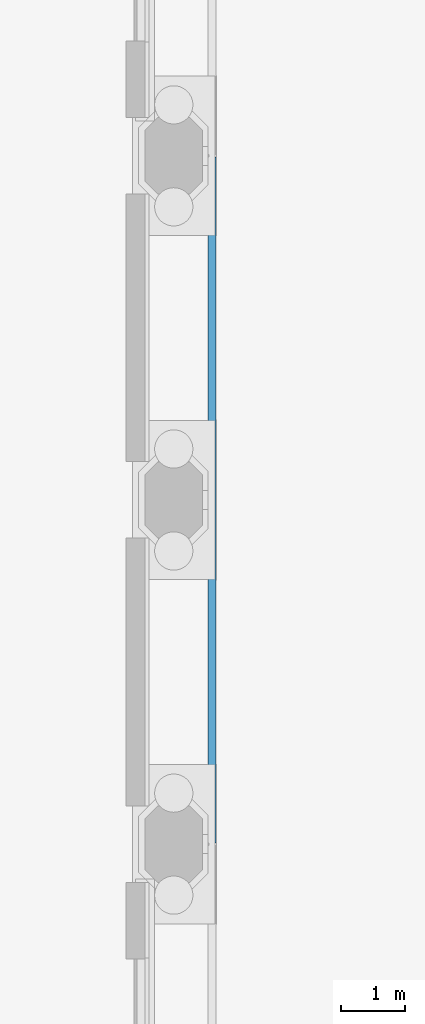
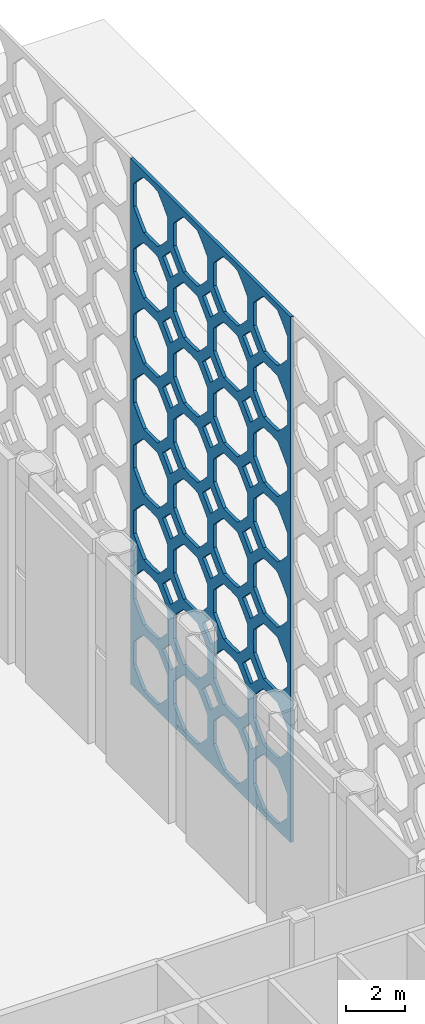
# One storey, part 28 of 54: 1 plate.
"""IFC4 building model written with IfcOpenShell, lengths in metres."""

import ifcopenshell
import ifcopenshell.guid

model = None  # the IFC model being written
_history = None  # IfcOwnerHistory: only IFC2X3 demands one
_inside = {}  # id of a spatial element -> (the spatial element, [elements in it])
_under = {}  # id of a project, library or spatial element -> (it, [spatial elements below it])
_declared = {}  # id of a project -> (the project, [libraries it declares])
_typed = {}  # id of a type object -> (the type object, [elements of that type])
_made_of = {}  # id of a material, layer set ... -> (it, [elements and type objects made of it])


def new_model(schema):
    """Start an empty IFC model of exactly this schema.

    Asked for "IFC4X3", IfcOpenShell would pick the latest addendum, in which some entities
    have other attributes; the version numbers below select the first issue.
    IFC2X3 requires an IfcOwnerHistory on every rooted entity: one is made here for all.
    """
    global model, _history
    if schema == "IFC4X3":
        model = ifcopenshell.file(schema_version=(4, 3, 0, 0))
    else:
        model = ifcopenshell.file(schema=schema)
    _inside.clear()
    _under.clear()
    _declared.clear()
    _typed.clear()
    _made_of.clear()
    _history = None
    if model.schema == "IFC2X3":
        org = make("IfcOrganization", Name="unknown")
        user = make(
            "IfcPersonAndOrganization",
            ThePerson=make("IfcPerson", FamilyName="unknown"),
            TheOrganization=org,
        )
        app = make(
            "IfcApplication",
            ApplicationDeveloper=org,
            Version="unknown",
            ApplicationFullName="unknown",
            ApplicationIdentifier="unknown",
        )
        _history = make(
            "IfcOwnerHistory",
            OwningUser=user,
            OwningApplication=app,
            ChangeAction="ADDED",
            CreationDate=0,
        )
    return model


def make(cls, **values):
    """One entity of the class cls with the attributes given. An attribute that is None is left unset."""
    return model.create_entity(
        cls, **{name: value for name, value in values.items() if value is not None}
    )


def rooted(cls, **values):
    """An entity with a GlobalId (a new one), such as an element, a storey or a relation."""
    return make(cls, GlobalId=ifcopenshell.guid.new(), OwnerHistory=_history, **values)


def si_unit(unit_type, name, prefix=None):
    """IfcSIUnit, for example si_unit("LENGTHUNIT", "METRE", prefix="MILLI")."""
    return make("IfcSIUnit", UnitType=unit_type, Prefix=prefix, Name=name)


def assignment(units):
    """IfcUnitAssignment: the units of a project."""
    return None if units is None else make("IfcUnitAssignment", Units=units)


def point(xyz):
    """IfcCartesianPoint."""
    return None if xyz is None else make("IfcCartesianPoint", Coordinates=xyz)


def direction(xyz):
    """IfcDirection."""
    return None if xyz is None else make("IfcDirection", DirectionRatios=xyz)


def frame(location, z_axis=None, x_axis=None):
    """IfcAxis2Placement3D, a coordinate frame: its origin and axes. An axis left out is left unset."""
    return make(
        "IfcAxis2Placement3D",
        Location=point(location),
        Axis=direction(z_axis),
        RefDirection=direction(x_axis),
    )


def origin():
    """The frame at (0, 0, 0) with its axes left unset."""
    return frame((0.0, 0.0, 0.0))


def place(relative_to, where):
    """IfcLocalPlacement: puts the frame where relative to a parent placement (None: the world)."""
    return make(
        "IfcLocalPlacement", PlacementRelTo=relative_to, RelativePlacement=where
    )


def context(
    kind, dimensions, precision=None, world=None, true_north=None, identifier=None
):
    """IfcGeometricRepresentationContext, for example the 3D "Model" context."""
    return make(
        "IfcGeometricRepresentationContext",
        ContextIdentifier=identifier,
        ContextType=kind,
        CoordinateSpaceDimension=dimensions,
        Precision=precision,
        WorldCoordinateSystem=world,
        TrueNorth=true_north,
    )


def subcontext(parent, identifier, kind, view, scale=None):
    """IfcGeometricRepresentationSubContext, for example "Body" below "Model"."""
    return make(
        "IfcGeometricRepresentationSubContext",
        ContextIdentifier=identifier,
        ContextType=kind,
        ParentContext=parent,
        TargetScale=scale,
        TargetView=view,
    )


def project(units=None, contexts=None):
    """IfcProject with its units and contexts."""
    return rooted(
        "IfcProject",
        Name="project",
        RepresentationContexts=contexts,
        UnitsInContext=assignment(units),
    )


def spatial(cls, under=None, at=None, **own):
    """A site, building, storey or space (cls), placed at a placement, below another one or the project."""
    s = rooted(cls, ObjectPlacement=at, **own)
    if under is not None:
        _under.setdefault(under.id(), (under, []))[1].append(s)
    return s


def polyline(points):
    """IfcPolyline through the points."""
    return make("IfcPolyline", Points=[point(p) for p in points])


def outline(outer, holes=None, kind="AREA"):
    """IfcArbitraryClosedProfileDef: a profile drawn as a closed curve; with holes, ...WithVoids."""
    if holes is None:
        return make("IfcArbitraryClosedProfileDef", ProfileType=kind, OuterCurve=outer)
    return make(
        "IfcArbitraryProfileDefWithVoids",
        ProfileType=kind,
        OuterCurve=outer,
        InnerCurves=holes,
    )


def extrude(swept, where, along, depth):
    """IfcExtrudedAreaSolid: the profile swept, set in the frame where, extruded along a direction by depth."""
    return make(
        "IfcExtrudedAreaSolid",
        SweptArea=swept,
        Position=where,
        ExtrudedDirection=direction(along),
        Depth=depth,
    )


def shape(context_of_items, identifier, shape_type, items):
    """IfcShapeRepresentation: the items that make up one representation, for example the "Body"."""
    return make(
        "IfcShapeRepresentation",
        ContextOfItems=context_of_items,
        RepresentationIdentifier=identifier,
        RepresentationType=shape_type,
        Items=items,
    )


def material(Name=None, Category=None):
    """IfcMaterial."""
    return make("IfcMaterial", Name=Name, Category=Category)


def layer(
    of_material, thickness, ventilated=None, Name=None, Category=None, Priority=None
):
    """IfcMaterialLayer: one layer of a wall or slab, of a material (None: an air gap)."""
    return make(
        "IfcMaterialLayer",
        Material=of_material,
        LayerThickness=thickness,
        IsVentilated=ventilated,
        Name=Name,
        Category=Category,
        Priority=Priority,
    )


def layer_set(layers, Name=None):
    """IfcMaterialLayerSet."""
    return make("IfcMaterialLayerSet", MaterialLayers=layers, LayerSetName=Name)


def made_of(thing, what):
    """Note that an element or type object is made of a material, layer set ...; save() writes the relation."""
    if what is not None:
        _made_of.setdefault(what.id(), (what, []))[1].append(thing)
    return thing


def type_object(cls, material=None, **own):
    """A type object (cls), such as IfcWallType, which elements share."""
    return made_of(rooted(cls, **own), material)


def element(
    cls,
    number,
    at=None,
    inside=None,
    cuts=None,
    type_object=None,
    material=None,
    context=None,
    identifier="Body",
    shape_type=None,
    held_by="IfcProductDefinitionShape",
    body=None,
    shapes=None,
    **own,
):
    """One element of the class cls, such as IfcWall. Its Tag is "e" and its number.

    at: its placement. inside: the storey or other place that contains it. cuts: it is an
    opening in that element (IfcRelVoidsElement). A single representation is given by context,
    identifier, shape_type and body (its items); several are given by shapes. held_by: the class
    of the entity that holds the representations. save() writes the other relations.
    """
    e = rooted(cls, Tag="e%d" % number, ObjectPlacement=at, **own)
    if body is not None:
        shapes = [shape(context, identifier, shape_type, body)]
    if shapes is not None:
        e.Representation = make(held_by, Representations=shapes)
    if inside is not None:
        _inside.setdefault(inside.id(), (inside, []))[1].append(e)
    if cuts is not None:
        rooted(
            "IfcRelVoidsElement", RelatingBuildingElement=cuts, RelatedOpeningElement=e
        )
    if type_object is not None:
        _typed.setdefault(type_object.id(), (type_object, []))[1].append(e)
    return made_of(e, material)


def aggregate(whole, parts):
    """IfcRelAggregates: a whole, such as a stair, and the parts it consists of."""
    return rooted("IfcRelAggregates", RelatingObject=whole, RelatedObjects=parts)


def save(model, path):
    """Write the relations noted so far, then the file.

    IfcRelAggregates (storeys below a building ...), IfcRelContainedInSpatialStructure (elements
    in a storey), IfcRelDefinesByType, IfcRelAssociatesMaterial and IfcRelDeclares: one each for
    every whole, place, type object, material and project.
    """
    for whole, parts in _under.values():
        aggregate(whole, parts)
    for where, things in _inside.values():
        rooted(
            "IfcRelContainedInSpatialStructure",
            RelatedElements=things,
            RelatingStructure=where,
        )
    for kind, things in _typed.values():
        rooted("IfcRelDefinesByType", RelatedObjects=things, RelatingType=kind)
    for what, things in _made_of.values():
        rooted("IfcRelAssociatesMaterial", RelatedObjects=things, RelatingMaterial=what)
    for by, libraries in _declared.values():
        rooted("IfcRelDeclares", RelatingContext=by, RelatedDefinitions=libraries)
    model.write(path)


model = new_model("IFC4")

# Units and contexts
model_context = context("Model", 3, precision=1e-05, world=origin(), true_north=direction((0.0, 1.0)))
body_context = subcontext(model_context, "Body", "Model", "MODEL_VIEW")
ifc_project = project(units=[si_unit("LENGTHUNIT", "METRE"), si_unit("AREAUNIT", "SQUARE_METRE"), si_unit("VOLUMEUNIT", "CUBIC_METRE"), si_unit("PLANEANGLEUNIT", "RADIAN"), si_unit("MASSUNIT", "GRAM", prefix="KILO")], contexts=[model_context])

# Site, building, storey
site_placement = place(None, origin())
site = spatial("IfcSite", under=ifc_project, at=site_placement, CompositionType="ELEMENT")
building_placement = place(site_placement, origin())
building = spatial("IfcBuilding", under=site, at=building_placement, Name="Tabaq Tower and Sports Hall", CompositionType="ELEMENT")
storey_placement = place(building_placement, origin())
storey = spatial("IfcBuildingStorey", under=building, at=storey_placement, Name="L00", CompositionType="ELEMENT", Elevation=0.0)

# Plate
ifc_material = material(Name="White precast concrete C60/75", Category="concrete")
ifc_layer = layer(ifc_material, 0.1201171875)
ifc_layer_set = layer_set([ifc_layer], Name="HALL GIRIH SCREEN 120")
plate_type = type_object("IfcPlateType", Name="HALL GIRIH SCREEN 120", PredefinedType="USERDEFINED", material=ifc_layer_set)
plate_placement = place(storey_placement, frame((124.800048828125, 21.6201171875, 2.39990234375), z_axis=(0.0, 0.0, 1.0), x_axis=(0.0, 1.0, 0.0)))
element("IfcPlate", 1, at=plate_placement, inside=storey, type_object=plate_type, Name="Hall girih screen 2", ObjectType="SCREEN", PredefinedType="USERDEFINED", context=body_context, shape_type="SweptSolid", body=[
    extrude(outline(polyline([(0.0, 0.0), (10.759765625, 0.0), (10.759765625, 21.60009765625), (0.0, 21.60009765625), (0.0, 0.0)]), holes=[polyline([(2.487060546875, 1.866943359375), (2.162109375, 2.2109375), (1.818115234375, 2.535888671875), (1.344970703125, 2.549560546875), (0.871826171875, 2.535888671875), (0.52783203125, 2.2109375), (0.202880859375, 1.866943359375), (0.189453125, 1.393798828125), (0.202880859375, 0.920654296875), (0.52783203125, 0.57666015625), (0.871826171875, 0.251708984375), (1.344970703125, 0.23828125), (1.818115234375, 0.251708984375), (2.162109375, 0.57666015625), (2.487060546875, 0.920654296875), (2.500732421875, 1.393798828125), (2.487060546875, 1.866943359375)]), polyline([(2.487060546875, 4.554443359375), (2.162109375, 4.8984375), (1.818115234375, 5.223388671875), (1.344970703125, 5.237060546875), (0.871826171875, 5.223388671875), (0.52783203125, 4.8984375), (0.202880859375, 4.554443359375), (0.189453125, 4.081298828125), (0.202880859375, 3.608154296875), (0.52783203125, 3.26416015625), (0.871826171875, 2.939208984375), (1.344970703125, 2.92578125), (1.818115234375, 2.939208984375), (2.162109375, 3.26416015625), (2.487060546875, 3.608154296875), (2.500732421875, 4.081298828125), (2.487060546875, 4.554443359375)]), polyline([(2.487060546875, 7.241943359375), (2.162109375, 7.5859375), (1.818115234375, 7.910888671875), (1.344970703125, 7.924560546875), (0.871826171875, 7.910888671875), (0.52783203125, 7.5859375), (0.202880859375, 7.241943359375), (0.189453125, 6.768798828125), (0.202880859375, 6.295654296875), (0.52783203125, 5.95166015625), (0.871826171875, 5.626708984375), (1.344970703125, 5.61328125), (1.818115234375, 5.626708984375), (2.162109375, 5.95166015625), (2.487060546875, 6.295654296875), (2.500732421875, 6.768798828125), (2.487060546875, 7.241943359375)]), polyline([(2.487060546875, 9.929443359375), (2.162109375, 10.2734375), (1.818115234375, 10.598388671875), (1.344970703125, 10.612060546875), (0.871826171875, 10.598388671875), (0.52783203125, 10.2734375), (0.202880859375, 9.929443359375), (0.189453125, 9.456298828125), (0.202880859375, 8.983154296875), (0.52783203125, 8.63916015625), (0.871826171875, 8.314208984375), (1.344970703125, 8.30078125), (1.818115234375, 8.314208984375), (2.162109375, 8.63916015625), (2.487060546875, 8.983154296875), (2.500732421875, 9.456298828125), (2.487060546875, 9.929443359375)]), polyline([(2.487060546875, 12.616943359375), (2.162109375, 12.9609375), (1.818115234375, 13.285888671875), (1.344970703125, 13.299560546875), (0.871826171875, 13.285888671875), (0.52783203125, 12.9609375), (0.202880859375, 12.616943359375), (0.189453125, 12.143798828125), (0.202880859375, 11.670654296875), (0.52783203125, 11.32666015625), (0.871826171875, 11.001708984375), (1.344970703125, 10.98828125), (1.818115234375, 11.001708984375), (2.162109375, 11.32666015625), (2.487060546875, 11.670654296875), (2.500732421875, 12.143798828125), (2.487060546875, 12.616943359375)]), polyline([(2.487060546875, 15.304443359375), (2.162109375, 15.6484375), (1.818115234375, 15.973388671875), (1.344970703125, 15.987060546875), (0.871826171875, 15.973388671875), (0.52783203125, 15.6484375), (0.202880859375, 15.304443359375), (0.189453125, 14.831298828125), (0.202880859375, 14.358154296875), (0.52783203125, 14.01416015625), (0.871826171875, 13.689208984375), (1.344970703125, 13.67578125), (1.818115234375, 13.689208984375), (2.162109375, 14.01416015625), (2.487060546875, 14.358154296875), (2.500732421875, 14.831298828125), (2.487060546875, 15.304443359375)]), polyline([(2.487060546875, 17.991943359375), (2.162109375, 18.3359375), (1.818115234375, 18.660888671875), (1.344970703125, 18.674560546875), (0.871826171875, 18.660888671875), (0.52783203125, 18.3359375), (0.202880859375, 17.991943359375), (0.189453125, 17.518798828125), (0.202880859375, 17.045654296875), (0.52783203125, 16.70166015625), (0.871826171875, 16.376708984375), (1.344970703125, 16.36328125), (1.818115234375, 16.376708984375), (2.162109375, 16.70166015625), (2.487060546875, 17.045654296875), (2.500732421875, 17.518798828125), (2.487060546875, 17.991943359375)]), polyline([(2.487060546875, 20.679443359375), (2.162109375, 21.0234375), (1.818115234375, 21.348388671875), (1.344970703125, 21.362060546875), (0.871826171875, 21.348388671875), (0.52783203125, 21.0234375), (0.202880859375, 20.679443359375), (0.189453125, 20.206298828125), (0.202880859375, 19.733154296875), (0.52783203125, 19.38916015625), (0.871826171875, 19.064208984375), (1.344970703125, 19.05078125), (1.818115234375, 19.064208984375), (2.162109375, 19.38916015625), (2.487060546875, 19.733154296875), (2.500732421875, 20.206298828125), (2.487060546875, 20.679443359375)]), polyline([(5.17724609375, 1.866943359375), (4.85205078125, 2.2109375), (4.508056640625, 2.535888671875), (4.034912109375, 2.549560546875), (3.56201171875, 2.535888671875), (3.2177734375, 2.2109375), (2.892822265625, 1.866943359375), (2.87939453125, 1.393798828125), (2.892822265625, 0.920654296875), (3.2177734375, 0.57666015625), (3.56201171875, 0.251708984375), (4.034912109375, 0.23828125), (4.508056640625, 0.251708984375), (4.85205078125, 0.57666015625), (5.17724609375, 0.920654296875), (5.190673828125, 1.393798828125), (5.17724609375, 1.866943359375)]), polyline([(5.17724609375, 4.554443359375), (4.85205078125, 4.8984375), (4.508056640625, 5.223388671875), (4.034912109375, 5.237060546875), (3.56201171875, 5.223388671875), (3.2177734375, 4.8984375), (2.892822265625, 4.554443359375), (2.87939453125, 4.081298828125), (2.892822265625, 3.608154296875), (3.2177734375, 3.26416015625), (3.56201171875, 2.939208984375), (4.034912109375, 2.92578125), (4.508056640625, 2.939208984375), (4.85205078125, 3.26416015625), (5.17724609375, 3.608154296875), (5.190673828125, 4.081298828125), (5.17724609375, 4.554443359375)]), polyline([(5.17724609375, 7.241943359375), (4.85205078125, 7.5859375), (4.508056640625, 7.910888671875), (4.034912109375, 7.924560546875), (3.56201171875, 7.910888671875), (3.2177734375, 7.5859375), (2.892822265625, 7.241943359375), (2.87939453125, 6.768798828125), (2.892822265625, 6.295654296875), (3.2177734375, 5.95166015625), (3.56201171875, 5.626708984375), (4.034912109375, 5.61328125), (4.508056640625, 5.626708984375), (4.85205078125, 5.95166015625), (5.17724609375, 6.295654296875), (5.190673828125, 6.768798828125), (5.17724609375, 7.241943359375)]), polyline([(5.17724609375, 9.929443359375), (4.85205078125, 10.2734375), (4.508056640625, 10.598388671875), (4.034912109375, 10.612060546875), (3.56201171875, 10.598388671875), (3.2177734375, 10.2734375), (2.892822265625, 9.929443359375), (2.87939453125, 9.456298828125), (2.892822265625, 8.983154296875), (3.2177734375, 8.63916015625), (3.56201171875, 8.314208984375), (4.034912109375, 8.30078125), (4.508056640625, 8.314208984375), (4.85205078125, 8.63916015625), (5.17724609375, 8.983154296875), (5.190673828125, 9.456298828125), (5.17724609375, 9.929443359375)]), polyline([(5.17724609375, 12.616943359375), (4.85205078125, 12.9609375), (4.508056640625, 13.285888671875), (4.034912109375, 13.299560546875), (3.56201171875, 13.285888671875), (3.2177734375, 12.9609375), (2.892822265625, 12.616943359375), (2.87939453125, 12.143798828125), (2.892822265625, 11.670654296875), (3.2177734375, 11.32666015625), (3.56201171875, 11.001708984375), (4.034912109375, 10.98828125), (4.508056640625, 11.001708984375), (4.85205078125, 11.32666015625), (5.17724609375, 11.670654296875), (5.190673828125, 12.143798828125), (5.17724609375, 12.616943359375)]), polyline([(5.17724609375, 15.304443359375), (4.85205078125, 15.6484375), (4.508056640625, 15.973388671875), (4.034912109375, 15.987060546875), (3.56201171875, 15.973388671875), (3.2177734375, 15.6484375), (2.892822265625, 15.304443359375), (2.87939453125, 14.831298828125), (2.892822265625, 14.358154296875), (3.2177734375, 14.01416015625), (3.56201171875, 13.689208984375), (4.034912109375, 13.67578125), (4.508056640625, 13.689208984375), (4.85205078125, 14.01416015625), (5.17724609375, 14.358154296875), (5.190673828125, 14.831298828125), (5.17724609375, 15.304443359375)]), polyline([(5.17724609375, 17.991943359375), (4.85205078125, 18.3359375), (4.508056640625, 18.660888671875), (4.034912109375, 18.674560546875), (3.56201171875, 18.660888671875), (3.2177734375, 18.3359375), (2.892822265625, 17.991943359375), (2.87939453125, 17.518798828125), (2.892822265625, 17.045654296875), (3.2177734375, 16.70166015625), (3.56201171875, 16.376708984375), (4.034912109375, 16.36328125), (4.508056640625, 16.376708984375), (4.85205078125, 16.70166015625), (5.17724609375, 17.045654296875), (5.190673828125, 17.518798828125), (5.17724609375, 17.991943359375)]), polyline([(5.17724609375, 20.679443359375), (4.85205078125, 21.0234375), (4.508056640625, 21.348388671875), (4.034912109375, 21.362060546875), (3.56201171875, 21.348388671875), (3.2177734375, 21.0234375), (2.892822265625, 20.679443359375), (2.87939453125, 20.206298828125), (2.892822265625, 19.733154296875), (3.2177734375, 19.38916015625), (3.56201171875, 19.064208984375), (4.034912109375, 19.05078125), (4.508056640625, 19.064208984375), (4.85205078125, 19.38916015625), (5.17724609375, 19.733154296875), (5.190673828125, 20.206298828125), (5.17724609375, 20.679443359375)]), polyline([(7.8671875, 1.866943359375), (7.542236328125, 2.2109375), (7.197998046875, 2.535888671875), (6.72509765625, 2.549560546875), (6.251953125, 2.535888671875), (5.907958984375, 2.2109375), (5.582763671875, 1.866943359375), (5.5693359375, 1.393798828125), (5.582763671875, 0.920654296875), (5.907958984375, 0.57666015625), (6.251953125, 0.251708984375), (6.72509765625, 0.23828125), (7.197998046875, 0.251708984375), (7.542236328125, 0.57666015625), (7.8671875, 0.920654296875), (7.880615234375, 1.393798828125), (7.8671875, 1.866943359375)]), polyline([(7.8671875, 4.554443359375), (7.542236328125, 4.8984375), (7.197998046875, 5.223388671875), (6.72509765625, 5.237060546875), (6.251953125, 5.223388671875), (5.907958984375, 4.8984375), (5.582763671875, 4.554443359375), (5.5693359375, 4.081298828125), (5.582763671875, 3.608154296875), (5.907958984375, 3.26416015625), (6.251953125, 2.939208984375), (6.72509765625, 2.92578125), (7.197998046875, 2.939208984375), (7.542236328125, 3.26416015625), (7.8671875, 3.608154296875), (7.880615234375, 4.081298828125), (7.8671875, 4.554443359375)]), polyline([(7.8671875, 7.241943359375), (7.542236328125, 7.5859375), (7.197998046875, 7.910888671875), (6.72509765625, 7.924560546875), (6.251953125, 7.910888671875), (5.907958984375, 7.5859375), (5.582763671875, 7.241943359375), (5.5693359375, 6.768798828125), (5.582763671875, 6.295654296875), (5.907958984375, 5.95166015625), (6.251953125, 5.626708984375), (6.72509765625, 5.61328125), (7.197998046875, 5.626708984375), (7.542236328125, 5.95166015625), (7.8671875, 6.295654296875), (7.880615234375, 6.768798828125), (7.8671875, 7.241943359375)]), polyline([(7.8671875, 9.929443359375), (7.542236328125, 10.2734375), (7.197998046875, 10.598388671875), (6.72509765625, 10.612060546875), (6.251953125, 10.598388671875), (5.907958984375, 10.2734375), (5.582763671875, 9.929443359375), (5.5693359375, 9.456298828125), (5.582763671875, 8.983154296875), (5.907958984375, 8.63916015625), (6.251953125, 8.314208984375), (6.72509765625, 8.30078125), (7.197998046875, 8.314208984375), (7.542236328125, 8.63916015625), (7.8671875, 8.983154296875), (7.880615234375, 9.456298828125), (7.8671875, 9.929443359375)]), polyline([(7.8671875, 12.616943359375), (7.542236328125, 12.9609375), (7.197998046875, 13.285888671875), (6.72509765625, 13.299560546875), (6.251953125, 13.285888671875), (5.907958984375, 12.9609375), (5.582763671875, 12.616943359375), (5.5693359375, 12.143798828125), (5.582763671875, 11.670654296875), (5.907958984375, 11.32666015625), (6.251953125, 11.001708984375), (6.72509765625, 10.98828125), (7.197998046875, 11.001708984375), (7.542236328125, 11.32666015625), (7.8671875, 11.670654296875), (7.880615234375, 12.143798828125), (7.8671875, 12.616943359375)]), polyline([(7.8671875, 15.304443359375), (7.542236328125, 15.6484375), (7.197998046875, 15.973388671875), (6.72509765625, 15.987060546875), (6.251953125, 15.973388671875), (5.907958984375, 15.6484375), (5.582763671875, 15.304443359375), (5.5693359375, 14.831298828125), (5.582763671875, 14.358154296875), (5.907958984375, 14.01416015625), (6.251953125, 13.689208984375), (6.72509765625, 13.67578125), (7.197998046875, 13.689208984375), (7.542236328125, 14.01416015625), (7.8671875, 14.358154296875), (7.880615234375, 14.831298828125), (7.8671875, 15.304443359375)]), polyline([(7.8671875, 17.991943359375), (7.542236328125, 18.3359375), (7.197998046875, 18.660888671875), (6.72509765625, 18.674560546875), (6.251953125, 18.660888671875), (5.907958984375, 18.3359375), (5.582763671875, 17.991943359375), (5.5693359375, 17.518798828125), (5.582763671875, 17.045654296875), (5.907958984375, 16.70166015625), (6.251953125, 16.376708984375), (6.72509765625, 16.36328125), (7.197998046875, 16.376708984375), (7.542236328125, 16.70166015625), (7.8671875, 17.045654296875), (7.880615234375, 17.518798828125), (7.8671875, 17.991943359375)]), polyline([(7.8671875, 20.679443359375), (7.542236328125, 21.0234375), (7.197998046875, 21.348388671875), (6.72509765625, 21.362060546875), (6.251953125, 21.348388671875), (5.907958984375, 21.0234375), (5.582763671875, 20.679443359375), (5.5693359375, 20.206298828125), (5.582763671875, 19.733154296875), (5.907958984375, 19.38916015625), (6.251953125, 19.064208984375), (6.72509765625, 19.05078125), (7.197998046875, 19.064208984375), (7.542236328125, 19.38916015625), (7.8671875, 19.733154296875), (7.880615234375, 20.206298828125), (7.8671875, 20.679443359375)]), polyline([(10.55712890625, 1.866943359375), (10.232177734375, 2.2109375), (9.88818359375, 2.535888671875), (9.4150390625, 2.549560546875), (8.94189453125, 2.535888671875), (8.597900390625, 2.2109375), (8.27294921875, 1.866943359375), (8.25927734375, 1.393798828125), (8.27294921875, 0.920654296875), (8.597900390625, 0.57666015625), (8.94189453125, 0.251708984375), (9.4150390625, 0.23828125), (9.88818359375, 0.251708984375), (10.232177734375, 0.57666015625), (10.55712890625, 0.920654296875), (10.570556640625, 1.393798828125), (10.55712890625, 1.866943359375)]), polyline([(10.55712890625, 4.554443359375), (10.232177734375, 4.8984375), (9.88818359375, 5.223388671875), (9.4150390625, 5.237060546875), (8.94189453125, 5.223388671875), (8.597900390625, 4.8984375), (8.27294921875, 4.554443359375), (8.25927734375, 4.081298828125), (8.27294921875, 3.608154296875), (8.597900390625, 3.26416015625), (8.94189453125, 2.939208984375), (9.4150390625, 2.92578125), (9.88818359375, 2.939208984375), (10.232177734375, 3.26416015625), (10.55712890625, 3.608154296875), (10.570556640625, 4.081298828125), (10.55712890625, 4.554443359375)]), polyline([(10.55712890625, 7.241943359375), (10.232177734375, 7.5859375), (9.88818359375, 7.910888671875), (9.4150390625, 7.924560546875), (8.94189453125, 7.910888671875), (8.597900390625, 7.5859375), (8.27294921875, 7.241943359375), (8.25927734375, 6.768798828125), (8.27294921875, 6.295654296875), (8.597900390625, 5.95166015625), (8.94189453125, 5.626708984375), (9.4150390625, 5.61328125), (9.88818359375, 5.626708984375), (10.232177734375, 5.95166015625), (10.55712890625, 6.295654296875), (10.570556640625, 6.768798828125), (10.55712890625, 7.241943359375)]), polyline([(10.55712890625, 9.929443359375), (10.232177734375, 10.2734375), (9.88818359375, 10.598388671875), (9.4150390625, 10.612060546875), (8.94189453125, 10.598388671875), (8.597900390625, 10.2734375), (8.27294921875, 9.929443359375), (8.25927734375, 9.456298828125), (8.27294921875, 8.983154296875), (8.597900390625, 8.63916015625), (8.94189453125, 8.314208984375), (9.4150390625, 8.30078125), (9.88818359375, 8.314208984375), (10.232177734375, 8.63916015625), (10.55712890625, 8.983154296875), (10.570556640625, 9.456298828125), (10.55712890625, 9.929443359375)]), polyline([(10.55712890625, 12.616943359375), (10.232177734375, 12.9609375), (9.88818359375, 13.285888671875), (9.4150390625, 13.299560546875), (8.94189453125, 13.285888671875), (8.597900390625, 12.9609375), (8.27294921875, 12.616943359375), (8.25927734375, 12.143798828125), (8.27294921875, 11.670654296875), (8.597900390625, 11.32666015625), (8.94189453125, 11.001708984375), (9.4150390625, 10.98828125), (9.88818359375, 11.001708984375), (10.232177734375, 11.32666015625), (10.55712890625, 11.670654296875), (10.570556640625, 12.143798828125), (10.55712890625, 12.616943359375)]), polyline([(10.55712890625, 15.304443359375), (10.232177734375, 15.6484375), (9.88818359375, 15.973388671875), (9.4150390625, 15.987060546875), (8.94189453125, 15.973388671875), (8.597900390625, 15.6484375), (8.27294921875, 15.304443359375), (8.25927734375, 14.831298828125), (8.27294921875, 14.358154296875), (8.597900390625, 14.01416015625), (8.94189453125, 13.689208984375), (9.4150390625, 13.67578125), (9.88818359375, 13.689208984375), (10.232177734375, 14.01416015625), (10.55712890625, 14.358154296875), (10.570556640625, 14.831298828125), (10.55712890625, 15.304443359375)]), polyline([(10.55712890625, 17.991943359375), (10.232177734375, 18.3359375), (9.88818359375, 18.660888671875), (9.4150390625, 18.674560546875), (8.94189453125, 18.660888671875), (8.597900390625, 18.3359375), (8.27294921875, 17.991943359375), (8.25927734375, 17.518798828125), (8.27294921875, 17.045654296875), (8.597900390625, 16.70166015625), (8.94189453125, 16.376708984375), (9.4150390625, 16.36328125), (9.88818359375, 16.376708984375), (10.232177734375, 16.70166015625), (10.55712890625, 17.045654296875), (10.570556640625, 17.518798828125), (10.55712890625, 17.991943359375)]), polyline([(10.55712890625, 20.679443359375), (10.232177734375, 21.0234375), (9.88818359375, 21.348388671875), (9.4150390625, 21.362060546875), (8.94189453125, 21.348388671875), (8.597900390625, 21.0234375), (8.27294921875, 20.679443359375), (8.25927734375, 20.206298828125), (8.27294921875, 19.733154296875), (8.597900390625, 19.38916015625), (8.94189453125, 19.064208984375), (9.4150390625, 19.05078125), (9.88818359375, 19.064208984375), (10.232177734375, 19.38916015625), (10.55712890625, 19.733154296875), (10.570556640625, 20.206298828125), (10.55712890625, 20.679443359375)]), polyline([(3.2275390625, 2.737548828125), (2.68994140625, 3.275146484375), (2.152587890625, 2.737548828125), (2.68994140625, 2.2001953125), (3.2275390625, 2.737548828125)]), polyline([(3.2275390625, 5.425048828125), (2.68994140625, 5.962646484375), (2.152587890625, 5.425048828125), (2.68994140625, 4.8876953125), (3.2275390625, 5.425048828125)]), polyline([(3.2275390625, 8.112548828125), (2.68994140625, 8.650146484375), (2.152587890625, 8.112548828125), (2.68994140625, 7.5751953125), (3.2275390625, 8.112548828125)]), polyline([(3.2275390625, 10.800048828125), (2.68994140625, 11.337646484375), (2.152587890625, 10.800048828125), (2.68994140625, 10.2626953125), (3.2275390625, 10.800048828125)]), polyline([(3.2275390625, 13.487548828125), (2.68994140625, 14.025146484375), (2.152587890625, 13.487548828125), (2.68994140625, 12.9501953125), (3.2275390625, 13.487548828125)]), polyline([(3.2275390625, 16.175048828125), (2.68994140625, 16.712646484375), (2.152587890625, 16.175048828125), (2.68994140625, 15.6376953125), (3.2275390625, 16.175048828125)]), polyline([(3.2275390625, 18.862548828125), (2.68994140625, 19.400146484375), (2.152587890625, 18.862548828125), (2.68994140625, 18.3251953125), (3.2275390625, 18.862548828125)]), polyline([(5.91748046875, 2.737548828125), (5.3798828125, 3.275146484375), (4.842529296875, 2.737548828125), (5.3798828125, 2.2001953125), (5.91748046875, 2.737548828125)]), polyline([(5.91748046875, 5.425048828125), (5.3798828125, 5.962646484375), (4.842529296875, 5.425048828125), (5.3798828125, 4.8876953125), (5.91748046875, 5.425048828125)]), polyline([(5.91748046875, 8.112548828125), (5.3798828125, 8.650146484375), (4.842529296875, 8.112548828125), (5.3798828125, 7.5751953125), (5.91748046875, 8.112548828125)]), polyline([(5.91748046875, 10.800048828125), (5.3798828125, 11.337646484375), (4.842529296875, 10.800048828125), (5.3798828125, 10.2626953125), (5.91748046875, 10.800048828125)]), polyline([(5.91748046875, 13.487548828125), (5.3798828125, 14.025146484375), (4.842529296875, 13.487548828125), (5.3798828125, 12.9501953125), (5.91748046875, 13.487548828125)]), polyline([(5.91748046875, 16.175048828125), (5.3798828125, 16.712646484375), (4.842529296875, 16.175048828125), (5.3798828125, 15.6376953125), (5.91748046875, 16.175048828125)]), polyline([(5.91748046875, 18.862548828125), (5.3798828125, 19.400146484375), (4.842529296875, 18.862548828125), (5.3798828125, 18.3251953125), (5.91748046875, 18.862548828125)]), polyline([(8.607421875, 2.737548828125), (8.070068359375, 3.275146484375), (7.532470703125, 2.737548828125), (8.070068359375, 2.2001953125), (8.607421875, 2.737548828125)]), polyline([(8.607421875, 5.425048828125), (8.070068359375, 5.962646484375), (7.532470703125, 5.425048828125), (8.070068359375, 4.8876953125), (8.607421875, 5.425048828125)]), polyline([(8.607421875, 8.112548828125), (8.070068359375, 8.650146484375), (7.532470703125, 8.112548828125), (8.070068359375, 7.5751953125), (8.607421875, 8.112548828125)]), polyline([(8.607421875, 10.800048828125), (8.070068359375, 11.337646484375), (7.532470703125, 10.800048828125), (8.070068359375, 10.2626953125), (8.607421875, 10.800048828125)]), polyline([(8.607421875, 13.487548828125), (8.070068359375, 14.025146484375), (7.532470703125, 13.487548828125), (8.070068359375, 12.9501953125), (8.607421875, 13.487548828125)]), polyline([(8.607421875, 16.175048828125), (8.070068359375, 16.712646484375), (7.532470703125, 16.175048828125), (8.070068359375, 15.6376953125), (8.607421875, 16.175048828125)]), polyline([(8.607421875, 18.862548828125), (8.070068359375, 19.400146484375), (7.532470703125, 18.862548828125), (8.070068359375, 18.3251953125), (8.607421875, 18.862548828125)])]), frame((0.0, 0.06005859375, 0.0), z_axis=(0.0, -1.0, 0.0), x_axis=(1.0, 0.0, 0.0)), (0.0, 0.0, 1.0), 0.1201171875),
])

save(model, "model.ifc")
